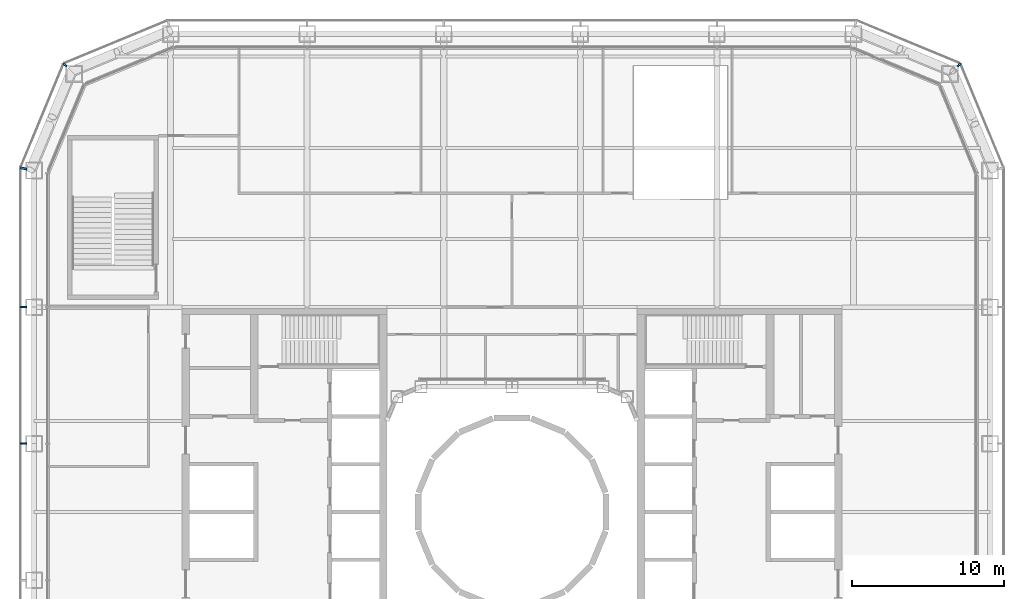
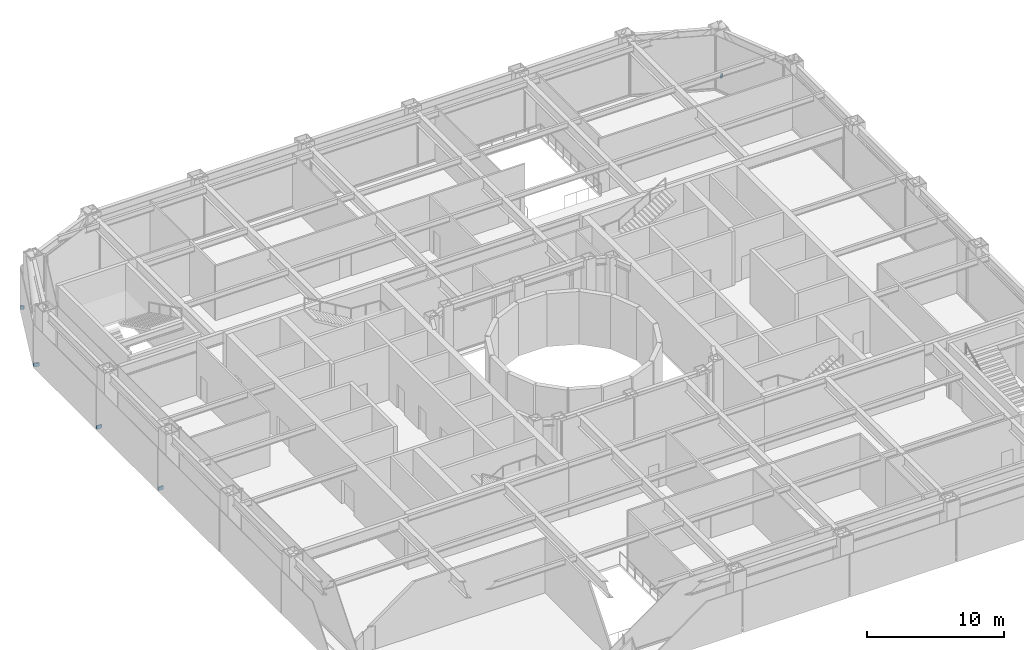
# One storey, part 17 of 24: 5 discrete accessories.
"""IFC4 building model written with IfcOpenShell, lengths in metres."""

from ifc_helpers import new_model, si_unit, direction, frame, origin, origin_2d, place, context, subcontext, project, spatial, rectangle, extrude, material, type_object, element, save


model = new_model("IFC4")

# Units and contexts
model_context = context("Model", 3, precision=1e-05, world=origin(), true_north=direction((0.0, 1.0)))
body_context = subcontext(model_context, "Body", "Model", "MODEL_VIEW")
ifc_project = project(units=[si_unit("LENGTHUNIT", "METRE"), si_unit("AREAUNIT", "SQUARE_METRE"), si_unit("VOLUMEUNIT", "CUBIC_METRE"), si_unit("PLANEANGLEUNIT", "RADIAN"), si_unit("MASSUNIT", "GRAM", prefix="KILO")], contexts=[model_context])

# Site, building, storey
site_placement = place(None, origin())
site = spatial("IfcSite", under=ifc_project, at=site_placement, CompositionType="ELEMENT")
building_placement = place(site_placement, origin())
building = spatial("IfcBuilding", under=site, at=building_placement, Name="Siwar Civic Tower", CompositionType="ELEMENT")
storey_placement = place(building_placement, frame((0.0, 0.0, 12.199951171875)))
storey = spatial("IfcBuildingStorey", under=building, at=storey_placement, Name="L02", CompositionType="ELEMENT", Elevation=12.199951171875)

# Discrete accessories
ifc_material = material(Name="Stainless steel 316", Category="steel")
discrete_accessory_type = type_object("IfcDiscreteAccessoryType", Name="ENV-BRACKET", PredefinedType="BRACKET", material=ifc_material)
for number, where, z_axis, x_axis, name in (
    (1, (29.451416015625, 29.451416015625, -0.14990234375), (0.0, 0.0, 1.0), (0.707106781187, 0.707106781187, 0.0), "Bracket outer skin joint V05"),
    (2, (-29.451416015625, 29.451416015625, -0.14990234375), (0.0, 0.0, 1.0), (-0.707106781187, 0.707106781187, 0.0), "Bracket outer skin joint V08"),
):
    element("IfcDiscreteAccessory", number, at=place(storey_placement, frame(where, z_axis=z_axis, x_axis=x_axis)), inside=storey, type_object=discrete_accessory_type, Name=name, PredefinedType="BRACKET", context=body_context, shape_type="SweptSolid", body=[
        extrude(rectangle(XDim=0.287109375, YDim=0.12939453125, at=origin_2d()), origin(), (0.0, 0.0, 1.0), 0.300048828125),
    ])
discrete_accessory_placement = place(storey_placement, frame((-32.190185546875, 22.63720703125, -0.14990234375), z_axis=(0.0, 0.0, 1.0), x_axis=(-0.980785280403, 0.195090322016, 0.0)))
element("IfcDiscreteAccessory", 3, at=discrete_accessory_placement, inside=storey, type_object=discrete_accessory_type, Name="Bracket outer skin joint V09", PredefinedType="BRACKET", context=body_context, shape_type="SweptSolid", body=[
    extrude(rectangle(XDim=0.427734375, YDim=0.13720703125, at=origin_2d()), origin(), (0.0, 0.0, 1.0), 0.300048828125),
])
for number, where, z_axis, x_axis, name in (
    (4, (-32.18994140625, 13.5, -0.14990234375), (0.0, 0.0, 1.0), (-1.0, 0.0, 0.0), "Bracket outer skin joint W-01"),
    (5, (-32.18994140625, 4.5, -0.14990234375), (0.0, 0.0, 1.0), (-1.0, 0.0, 0.0), "Bracket outer skin joint W-02"),
):
    element("IfcDiscreteAccessory", number, at=place(storey_placement, frame(where, z_axis=z_axis, x_axis=x_axis)), inside=storey, type_object=discrete_accessory_type, Name=name, PredefinedType="BRACKET", context=body_context, shape_type="SweptSolid", body=[
        extrude(rectangle(XDim=0.419921875, YDim=0.10009765625, at=origin_2d()), origin(), (0.0, 0.0, 1.0), 0.300048828125),
    ])

save(model, "model.ifc")
